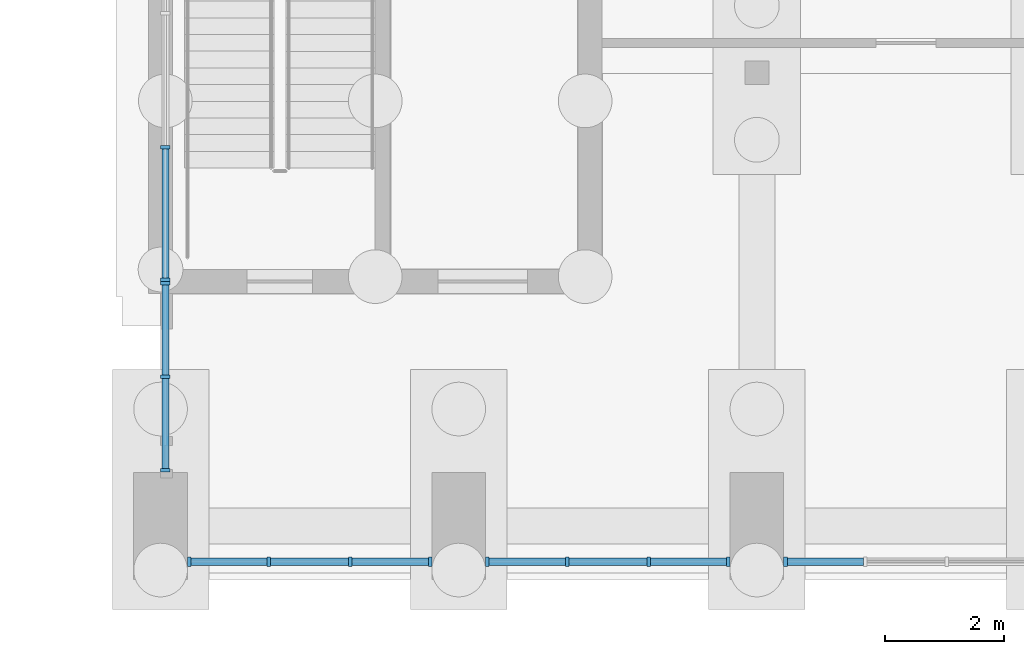
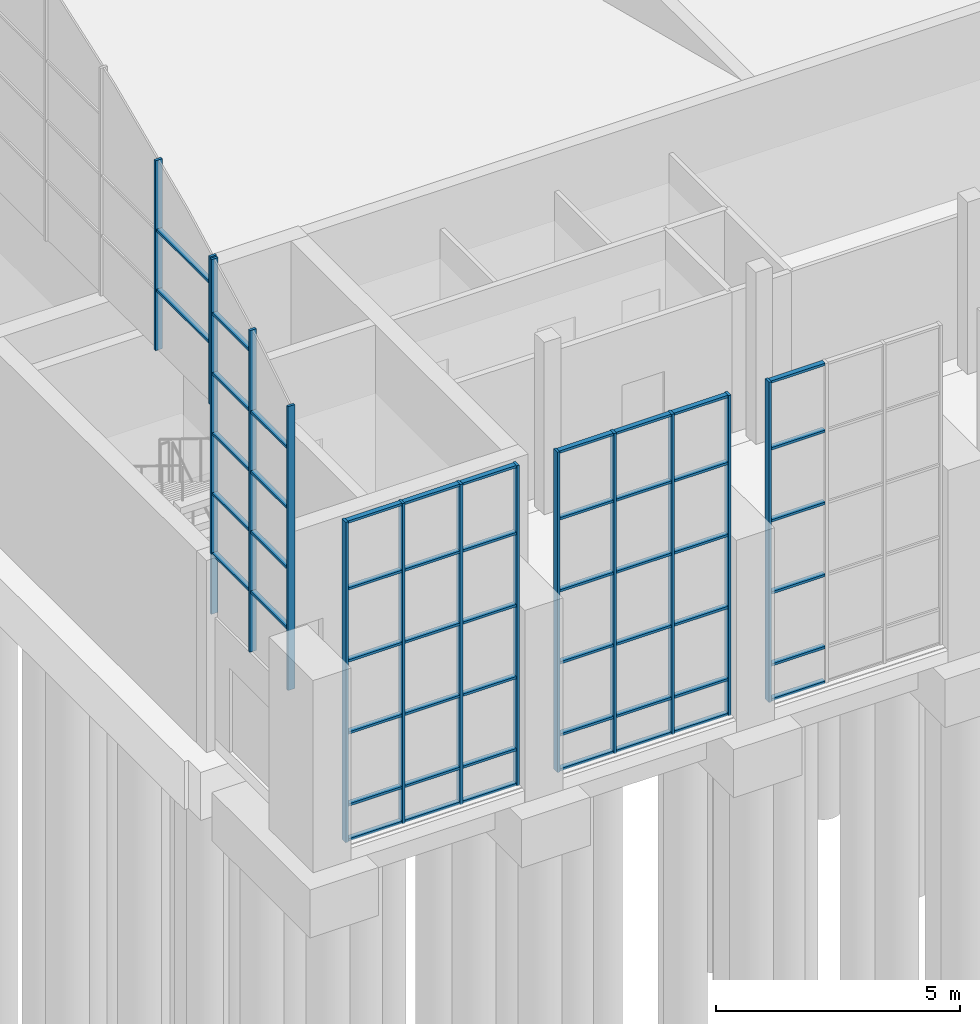
# One storey, part 24 of 106: 67 members, 5 elements without a shape of their own.
"""IFC4 building model written with IfcOpenShell, lengths in metres."""

from ifc_helpers import new_model, si_unit, direction, frame, origin, origin_2d, place, context, subcontext, project, spatial, rectangle, extrude, material, material_profile, profile_set, type_object, element, aggregate, save


model = new_model("IFC4")

# Units and contexts
model_context = context("Model", 3, precision=1e-05, world=origin(), true_north=direction((0.0, 1.0)))
body_context = subcontext(model_context, "Body", "Model", "MODEL_VIEW")
ifc_project = project(units=[si_unit("LENGTHUNIT", "METRE"), si_unit("AREAUNIT", "SQUARE_METRE"), si_unit("VOLUMEUNIT", "CUBIC_METRE"), si_unit("PLANEANGLEUNIT", "RADIAN"), si_unit("MASSUNIT", "GRAM", prefix="KILO")], contexts=[model_context])

# Site, building, storey
site_placement = place(None, origin())
site = spatial("IfcSite", under=ifc_project, at=site_placement, CompositionType="ELEMENT")
building_placement = place(site_placement, origin())
building = spatial("IfcBuilding", under=site, at=building_placement, Name="Merrow Basin Faculty of Sciences", CompositionType="ELEMENT")
storey_placement = place(building_placement, origin())
storey = spatial("IfcBuildingStorey", under=building, at=storey_placement, Name="L00", CompositionType="ELEMENT", Elevation=0.0)

# Curtain wall, members
ifc_material_1 = material(Name="Aluminium alloy 6063", Category="aluminium")
curtain_wall_type_1 = type_object("IfcCurtainWallType", Name="Arched curtain wall 160", PredefinedType="NOTDEFINED", material=ifc_material_1)
curtain_wall_1_placement = place(storey_placement, origin())
curtain_wall_1 = element("IfcCurtainWall", 1, at=curtain_wall_1_placement, inside=storey, type_object=curtain_wall_type_1, Name="West gable glazing A", PredefinedType="NOTDEFINED")
ifc_material_2 = material(Name="Aluminium alloy 6063", Category="aluminium")
ifc_material_profile_1 = material_profile(ifc_material_2, rectangle(XDim=0.159912109375, YDim=0.06005859375, at=origin_2d()))
ifc_profile_set_1 = profile_set([ifc_material_profile_1], Name="Aluminium alloy 6063")
member_type_1 = type_object("IfcMemberType", Name="Aluminium gable mullion 60x160", PredefinedType="MULLION", material=ifc_profile_set_1)
member_1_placement = place(storey_placement, frame((0.080078125, 1.830078125, 3.0), z_axis=(0.0, 0.0, 1.0), x_axis=(1.0, 0.0, 0.0)))
member_1 = element("IfcMember", 2, at=member_1_placement, type_object=member_type_1, Name="CW4 mullion 1", PredefinedType="MULLION", context=body_context, shape_type="SweptSolid", body=[
    extrude(rectangle(XDim=0.159912109375, YDim=0.06005859375, at=origin_2d()), origin(), (0.0, 0.0, 1.0), 7.090087890625),
])
member_2_placement = place(storey_placement, frame((0.080078125, 3.39990234375, 3.0), z_axis=(0.0, 0.0, 1.0), x_axis=(1.0, 0.0, 0.0)))
member_2 = element("IfcMember", 3, at=member_2_placement, type_object=member_type_1, Name="CW4 mullion 2", PredefinedType="MULLION", context=body_context, shape_type="SweptSolid", body=[
    extrude(rectangle(XDim=0.159912109375, YDim=0.06005859375, at=origin_2d()), origin(), (0.0, 0.0, 1.0), 8.034912109375),
])
member_3_placement = place(storey_placement, frame((0.080078125, 4.969970703125, 3.0), z_axis=(0.0, 0.0, 1.0), x_axis=(1.0, 0.0, 0.0)))
member_3 = element("IfcMember", 4, at=member_3_placement, type_object=member_type_1, Name="CW4 mullion 3", PredefinedType="MULLION", context=body_context, shape_type="SweptSolid", body=[
    extrude(rectangle(XDim=0.159912109375, YDim=0.06005859375, at=origin_2d()), origin(), (0.0, 0.0, 1.0), 8.85595703125),
])

curtain_wall_2_placement = place(storey_placement, origin())
curtain_wall_2 = element("IfcCurtainWall", 5, at=curtain_wall_2_placement, inside=storey, type_object=curtain_wall_type_1, Name="West gable glazing B", PredefinedType="NOTDEFINED")
member_4_placement = place(storey_placement, frame((0.080078125, 5.030029296875, 8.199951171875), z_axis=(0.0, 0.0, 1.0), x_axis=(1.0, 0.0, 0.0)))
member_4 = element("IfcMember", 6, at=member_4_placement, type_object=member_type_1, Name="CW4 mullion 1", PredefinedType="MULLION", context=body_context, shape_type="SweptSolid", body=[
    extrude(rectangle(XDim=0.159912109375, YDim=0.06005859375, at=origin_2d()), origin(), (0.0, 0.0, 1.0), 3.68798828125),
])
member_5_placement = place(storey_placement, frame((0.080078125, 7.25, 8.199951171875), z_axis=(0.0, 0.0, 1.0), x_axis=(1.0, 0.0, 0.0)))
member_5 = element("IfcMember", 7, at=member_5_placement, type_object=member_type_1, Name="CW4 mullion 2", PredefinedType="MULLION", context=body_context, shape_type="SweptSolid", body=[
    extrude(rectangle(XDim=0.159912109375, YDim=0.06005859375, at=origin_2d()), origin(), (0.0, 0.0, 1.0), 4.7451171875),
])

# Member
ifc_material_3 = material(Name="Aluminium alloy 6063", Category="aluminium")
ifc_material_profile_2 = material_profile(ifc_material_3, rectangle(XDim=0.1201171875, YDim=0.06005859375, at=origin_2d()))
ifc_profile_set_2 = profile_set([ifc_material_profile_2], Name="Aluminium alloy 6063")
member_type_2 = type_object("IfcMemberType", Name="Aluminium gable transom 60x120", PredefinedType="USERDEFINED", material=ifc_profile_set_2)
member_6_placement = place(storey_placement, frame((0.080078125, 1.860107421875, 4.5), z_axis=(0.0, 1.0, 0.0), x_axis=(-1.0, 0.0, 0.0)))
member_6 = element("IfcMember", 8, at=member_6_placement, type_object=member_type_2, Name="CW4 transom 1.1", ObjectType="TRANSOM", PredefinedType="USERDEFINED", context=body_context, shape_type="SweptSolid", body=[
    extrude(rectangle(XDim=0.1201171875, YDim=0.06005859375, at=origin_2d()), origin(), (0.0, 0.0, 1.0), 1.510009765625),
])

member_7_placement = place(storey_placement, frame((0.080078125, 1.860107421875, 6.0), z_axis=(0.0, 1.0, 0.0), x_axis=(-1.0, 0.0, 0.0)))
member_7 = element("IfcMember", 9, at=member_7_placement, type_object=member_type_2, Name="CW4 transom 1.2", ObjectType="TRANSOM", PredefinedType="USERDEFINED", context=body_context, shape_type="SweptSolid", body=[
    extrude(rectangle(XDim=0.1201171875, YDim=0.06005859375, at=origin_2d()), origin(), (0.0, 0.0, 1.0), 1.510009765625),
])

member_8_placement = place(storey_placement, frame((0.080078125, 1.860107421875, 7.5), z_axis=(0.0, 1.0, 0.0), x_axis=(-1.0, 0.0, 0.0)))
member_8 = element("IfcMember", 10, at=member_8_placement, type_object=member_type_2, Name="CW4 transom 1.3", ObjectType="TRANSOM", PredefinedType="USERDEFINED", context=body_context, shape_type="SweptSolid", body=[
    extrude(rectangle(XDim=0.1201171875, YDim=0.06005859375, at=origin_2d()), origin(), (0.0, 0.0, 1.0), 1.510009765625),
])

member_9_placement = place(storey_placement, frame((0.080078125, 1.860107421875, 9.0), z_axis=(0.0, 1.0, 0.0), x_axis=(-1.0, 0.0, 0.0)))
member_9 = element("IfcMember", 11, at=member_9_placement, type_object=member_type_2, Name="CW4 transom 1.4", ObjectType="TRANSOM", PredefinedType="USERDEFINED", context=body_context, shape_type="SweptSolid", body=[
    extrude(rectangle(XDim=0.1201171875, YDim=0.06005859375, at=origin_2d()), origin(), (0.0, 0.0, 1.0), 1.510009765625),
])

member_10_placement = place(storey_placement, frame((0.080078125, 3.429931640625, 4.5), z_axis=(0.0, 1.0, 0.0), x_axis=(-1.0, 0.0, 0.0)))
member_10 = element("IfcMember", 12, at=member_10_placement, type_object=member_type_2, Name="CW4 transom 2.1", ObjectType="TRANSOM", PredefinedType="USERDEFINED", context=body_context, shape_type="SweptSolid", body=[
    extrude(rectangle(XDim=0.1201171875, YDim=0.06005859375, at=origin_2d()), origin(), (0.0, 0.0, 1.0), 1.510009765625),
])

member_11_placement = place(storey_placement, frame((0.080078125, 3.429931640625, 6.0), z_axis=(0.0, 1.0, 0.0), x_axis=(-1.0, 0.0, 0.0)))
member_11 = element("IfcMember", 13, at=member_11_placement, type_object=member_type_2, Name="CW4 transom 2.2", ObjectType="TRANSOM", PredefinedType="USERDEFINED", context=body_context, shape_type="SweptSolid", body=[
    extrude(rectangle(XDim=0.1201171875, YDim=0.06005859375, at=origin_2d()), origin(), (0.0, 0.0, 1.0), 1.510009765625),
])

member_12_placement = place(storey_placement, frame((0.080078125, 3.429931640625, 7.5), z_axis=(0.0, 1.0, 0.0), x_axis=(-1.0, 0.0, 0.0)))
member_12 = element("IfcMember", 14, at=member_12_placement, type_object=member_type_2, Name="CW4 transom 2.3", ObjectType="TRANSOM", PredefinedType="USERDEFINED", context=body_context, shape_type="SweptSolid", body=[
    extrude(rectangle(XDim=0.1201171875, YDim=0.06005859375, at=origin_2d()), origin(), (0.0, 0.0, 1.0), 1.510009765625),
])

member_13_placement = place(storey_placement, frame((0.080078125, 3.429931640625, 9.0), z_axis=(0.0, 1.0, 0.0), x_axis=(-1.0, 0.0, 0.0)))
member_13 = element("IfcMember", 15, at=member_13_placement, type_object=member_type_2, Name="CW4 transom 2.4", ObjectType="TRANSOM", PredefinedType="USERDEFINED", context=body_context, shape_type="SweptSolid", body=[
    extrude(rectangle(XDim=0.1201171875, YDim=0.06005859375, at=origin_2d()), origin(), (0.0, 0.0, 1.0), 1.510009765625),
])

member_14_placement = place(storey_placement, frame((0.080078125, 3.429931640625, 10.5), z_axis=(0.0, 1.0, 0.0), x_axis=(-1.0, 0.0, 0.0)))
member_14 = element("IfcMember", 16, at=member_14_placement, type_object=member_type_2, Name="CW4 transom 2.5", ObjectType="TRANSOM", PredefinedType="USERDEFINED", context=body_context, shape_type="SweptSolid", body=[
    extrude(rectangle(XDim=0.1201171875, YDim=0.06005859375, at=origin_2d()), origin(), (0.0, 0.0, 1.0), 1.510009765625),
])

aggregate(curtain_wall_1, [member_1, member_2, member_3, member_6, member_7, member_8, member_9, member_10, member_11, member_12, member_13, member_14])

member_15_placement = place(storey_placement, frame((0.080078125, 5.06005859375, 9.699951171875), z_axis=(0.0, 1.0, 0.0), x_axis=(-1.0, 0.0, 0.0)))
member_15 = element("IfcMember", 17, at=member_15_placement, type_object=member_type_2, Name="CW4 transom 1.1", ObjectType="TRANSOM", PredefinedType="USERDEFINED", context=body_context, shape_type="SweptSolid", body=[
    extrude(rectangle(XDim=0.1201171875, YDim=0.06005859375, at=origin_2d()), origin(), (0.0, 0.0, 1.0), 2.159912109375),
])

member_16_placement = place(storey_placement, frame((0.080078125, 5.06005859375, 11.199951171875), z_axis=(0.0, 1.0, 0.0), x_axis=(-1.0, 0.0, 0.0)))
member_16 = element("IfcMember", 18, at=member_16_placement, type_object=member_type_2, Name="CW4 transom 1.2", ObjectType="TRANSOM", PredefinedType="USERDEFINED", context=body_context, shape_type="SweptSolid", body=[
    extrude(rectangle(XDim=0.1201171875, YDim=0.06005859375, at=origin_2d()), origin(), (0.0, 0.0, 1.0), 2.159912109375),
])

aggregate(curtain_wall_2, [member_4, member_5, member_15, member_16])

# Curtain wall, members
ifc_material_4 = material(Name="Aluminium alloy 6063", Category="aluminium")
curtain_wall_type_2 = type_object("IfcCurtainWallType", Name="Unitised curtain wall 160", PredefinedType="NOTDEFINED", material=ifc_material_4)
curtain_wall_3_placement = place(storey_placement, origin())
curtain_wall_3 = element("IfcCurtainWall", 19, at=curtain_wall_3_placement, inside=storey, type_object=curtain_wall_type_2, Name="South foyer curtain wall", PredefinedType="NOTDEFINED")
ifc_material_5 = material(Name="Aluminium alloy 6063", Category="aluminium")
ifc_material_profile_3 = material_profile(ifc_material_5, rectangle(XDim=0.159912109375, YDim=0.06005859375, at=origin_2d()))
ifc_profile_set_3 = profile_set([ifc_material_profile_3], Name="Aluminium alloy 6063")
member_type_3 = type_object("IfcMemberType", Name="Aluminium mullion 60x160", PredefinedType="MULLION", material=ifc_profile_set_3)
member_17_placement = place(storey_placement, frame((0.47998046875, 0.300048828125, 0.0), z_axis=(0.0, 0.0, 1.0), x_axis=(0.0, 1.0, 0.0)))
member_17 = element("IfcMember", 20, at=member_17_placement, type_object=member_type_3, Name="CW3 mullion 1", PredefinedType="MULLION", context=body_context, shape_type="SweptSolid", body=[
    extrude(rectangle(XDim=0.159912109375, YDim=0.06005859375, at=origin_2d()), origin(), (0.0, 0.0, 1.0), 8.0),
])
member_18_placement = place(storey_placement, frame((1.816650390625, 0.300048828125, 0.0), z_axis=(0.0, 0.0, 1.0), x_axis=(0.0, 1.0, 0.0)))
member_18 = element("IfcMember", 21, at=member_18_placement, type_object=member_type_3, Name="CW3 mullion 2", PredefinedType="MULLION", context=body_context, shape_type="SweptSolid", body=[
    extrude(rectangle(XDim=0.159912109375, YDim=0.06005859375, at=origin_2d()), origin(), (0.0, 0.0, 1.0), 8.0),
])
member_19_placement = place(storey_placement, frame((3.183349609375, 0.300048828125, 0.0), z_axis=(0.0, 0.0, 1.0), x_axis=(0.0, 1.0, 0.0)))
member_19 = element("IfcMember", 22, at=member_19_placement, type_object=member_type_3, Name="CW3 mullion 3", PredefinedType="MULLION", context=body_context, shape_type="SweptSolid", body=[
    extrude(rectangle(XDim=0.159912109375, YDim=0.06005859375, at=origin_2d()), origin(), (0.0, 0.0, 1.0), 8.0),
])
member_20_placement = place(storey_placement, frame((4.52001953125, 0.300048828125, 0.0), z_axis=(0.0, 0.0, 1.0), x_axis=(0.0, 1.0, 0.0)))
member_20 = element("IfcMember", 23, at=member_20_placement, type_object=member_type_3, Name="CW3 mullion 4", PredefinedType="MULLION", context=body_context, shape_type="SweptSolid", body=[
    extrude(rectangle(XDim=0.159912109375, YDim=0.06005859375, at=origin_2d()), origin(), (0.0, 0.0, 1.0), 8.0),
])

curtain_wall_4_placement = place(storey_placement, origin())
curtain_wall_4 = element("IfcCurtainWall", 24, at=curtain_wall_4_placement, inside=storey, type_object=curtain_wall_type_2, Name="South foyer curtain wall", PredefinedType="NOTDEFINED")
member_21_placement = place(storey_placement, frame((5.47998046875, 0.300048828125, 0.0), z_axis=(0.0, 0.0, 1.0), x_axis=(0.0, 1.0, 0.0)))
member_21 = element("IfcMember", 25, at=member_21_placement, type_object=member_type_3, Name="CW3 mullion 1", PredefinedType="MULLION", context=body_context, shape_type="SweptSolid", body=[
    extrude(rectangle(XDim=0.159912109375, YDim=0.06005859375, at=origin_2d()), origin(), (0.0, 0.0, 1.0), 8.0),
])
member_22_placement = place(storey_placement, frame((6.816650390625, 0.300048828125, 0.0), z_axis=(0.0, 0.0, 1.0), x_axis=(0.0, 1.0, 0.0)))
member_22 = element("IfcMember", 26, at=member_22_placement, type_object=member_type_3, Name="CW3 mullion 2", PredefinedType="MULLION", context=body_context, shape_type="SweptSolid", body=[
    extrude(rectangle(XDim=0.159912109375, YDim=0.06005859375, at=origin_2d()), origin(), (0.0, 0.0, 1.0), 8.0),
])
member_23_placement = place(storey_placement, frame((8.183349609375, 0.300048828125, 0.0), z_axis=(0.0, 0.0, 1.0), x_axis=(0.0, 1.0, 0.0)))
member_23 = element("IfcMember", 27, at=member_23_placement, type_object=member_type_3, Name="CW3 mullion 3", PredefinedType="MULLION", context=body_context, shape_type="SweptSolid", body=[
    extrude(rectangle(XDim=0.159912109375, YDim=0.06005859375, at=origin_2d()), origin(), (0.0, 0.0, 1.0), 8.0),
])
member_24_placement = place(storey_placement, frame((9.52001953125, 0.300048828125, 0.0), z_axis=(0.0, 0.0, 1.0), x_axis=(0.0, 1.0, 0.0)))
member_24 = element("IfcMember", 28, at=member_24_placement, type_object=member_type_3, Name="CW3 mullion 4", PredefinedType="MULLION", context=body_context, shape_type="SweptSolid", body=[
    extrude(rectangle(XDim=0.159912109375, YDim=0.06005859375, at=origin_2d()), origin(), (0.0, 0.0, 1.0), 8.0),
])

# Curtain wall, member
curtain_wall_5_placement = place(storey_placement, origin())
curtain_wall_5 = element("IfcCurtainWall", 29, at=curtain_wall_5_placement, inside=storey, type_object=curtain_wall_type_2, Name="South foyer curtain wall", PredefinedType="NOTDEFINED")
member_25_placement = place(storey_placement, frame((10.47998046875, 0.300048828125, 0.0), z_axis=(0.0, 0.0, 1.0), x_axis=(0.0, 1.0, 0.0)))
member_25 = element("IfcMember", 30, at=member_25_placement, type_object=member_type_3, Name="CW3 mullion 1", PredefinedType="MULLION", context=body_context, shape_type="SweptSolid", body=[
    extrude(rectangle(XDim=0.159912109375, YDim=0.06005859375, at=origin_2d()), origin(), (0.0, 0.0, 1.0), 8.0),
])

# Member
ifc_material_6 = material(Name="Aluminium alloy 6063", Category="aluminium")
ifc_material_profile_4 = material_profile(ifc_material_6, rectangle(XDim=0.1201171875, YDim=0.06005859375, at=origin_2d()))
ifc_profile_set_4 = profile_set([ifc_material_profile_4], Name="Aluminium alloy 6063")
member_type_4 = type_object("IfcMemberType", Name="Aluminium transom 60x120", PredefinedType="USERDEFINED", material=ifc_profile_set_4)
member_26_placement = place(storey_placement, frame((0.510009765625, 0.300048828125, 0.030029296875), z_axis=(1.0, 0.0, 0.0), x_axis=(0.0, 1.0, 0.0)))
member_26 = element("IfcMember", 31, at=member_26_placement, type_object=member_type_4, Name="CW3 transom 1.1", ObjectType="TRANSOM", PredefinedType="USERDEFINED", context=body_context, shape_type="SweptSolid", body=[
    extrude(rectangle(XDim=0.1201171875, YDim=0.06005859375, at=origin_2d()), origin(), (0.0, 0.0, 1.0), 1.276611328125),
])

member_27_placement = place(storey_placement, frame((0.510009765625, 0.300048828125, 0.89990234375), z_axis=(1.0, 0.0, 0.0), x_axis=(0.0, 1.0, 0.0)))
member_27 = element("IfcMember", 32, at=member_27_placement, type_object=member_type_4, Name="CW3 transom 1.2", ObjectType="TRANSOM", PredefinedType="USERDEFINED", context=body_context, shape_type="SweptSolid", body=[
    extrude(rectangle(XDim=0.1201171875, YDim=0.06005859375, at=origin_2d()), origin(), (0.0, 0.0, 1.0), 1.276611328125),
])

member_28_placement = place(storey_placement, frame((0.510009765625, 0.300048828125, 2.699951171875), z_axis=(1.0, 0.0, 0.0), x_axis=(0.0, 1.0, 0.0)))
member_28 = element("IfcMember", 33, at=member_28_placement, type_object=member_type_4, Name="CW3 transom 1.3", ObjectType="TRANSOM", PredefinedType="USERDEFINED", context=body_context, shape_type="SweptSolid", body=[
    extrude(rectangle(XDim=0.1201171875, YDim=0.06005859375, at=origin_2d()), origin(), (0.0, 0.0, 1.0), 1.276611328125),
])

member_29_placement = place(storey_placement, frame((0.510009765625, 0.300048828125, 4.5), z_axis=(1.0, 0.0, 0.0), x_axis=(0.0, 1.0, 0.0)))
member_29 = element("IfcMember", 34, at=member_29_placement, type_object=member_type_4, Name="CW3 transom 1.4", ObjectType="TRANSOM", PredefinedType="USERDEFINED", context=body_context, shape_type="SweptSolid", body=[
    extrude(rectangle(XDim=0.1201171875, YDim=0.06005859375, at=origin_2d()), origin(), (0.0, 0.0, 1.0), 1.276611328125),
])

member_30_placement = place(storey_placement, frame((0.510009765625, 0.300048828125, 6.300048828125), z_axis=(1.0, 0.0, 0.0), x_axis=(0.0, 1.0, 0.0)))
member_30 = element("IfcMember", 35, at=member_30_placement, type_object=member_type_4, Name="CW3 transom 1.5", ObjectType="TRANSOM", PredefinedType="USERDEFINED", context=body_context, shape_type="SweptSolid", body=[
    extrude(rectangle(XDim=0.1201171875, YDim=0.06005859375, at=origin_2d()), origin(), (0.0, 0.0, 1.0), 1.276611328125),
])

member_31_placement = place(storey_placement, frame((0.510009765625, 0.300048828125, 7.969970703125), z_axis=(1.0, 0.0, 0.0), x_axis=(0.0, 1.0, 0.0)))
member_31 = element("IfcMember", 36, at=member_31_placement, type_object=member_type_4, Name="CW3 transom 1.6", ObjectType="TRANSOM", PredefinedType="USERDEFINED", context=body_context, shape_type="SweptSolid", body=[
    extrude(rectangle(XDim=0.1201171875, YDim=0.06005859375, at=origin_2d()), origin(), (0.0, 0.0, 1.0), 1.276611328125),
])

member_32_placement = place(storey_placement, frame((1.8466796875, 0.300048828125, 0.030029296875), z_axis=(1.0, 0.0, 0.0), x_axis=(0.0, 1.0, 0.0)))
member_32 = element("IfcMember", 37, at=member_32_placement, type_object=member_type_4, Name="CW3 transom 2.1", ObjectType="TRANSOM", PredefinedType="USERDEFINED", context=body_context, shape_type="SweptSolid", body=[
    extrude(rectangle(XDim=0.1201171875, YDim=0.06005859375, at=origin_2d()), origin(), (0.0, 0.0, 1.0), 1.306640625),
])

member_33_placement = place(storey_placement, frame((1.8466796875, 0.300048828125, 0.89990234375), z_axis=(1.0, 0.0, 0.0), x_axis=(0.0, 1.0, 0.0)))
member_33 = element("IfcMember", 38, at=member_33_placement, type_object=member_type_4, Name="CW3 transom 2.2", ObjectType="TRANSOM", PredefinedType="USERDEFINED", context=body_context, shape_type="SweptSolid", body=[
    extrude(rectangle(XDim=0.1201171875, YDim=0.06005859375, at=origin_2d()), origin(), (0.0, 0.0, 1.0), 1.306640625),
])

member_34_placement = place(storey_placement, frame((1.8466796875, 0.300048828125, 2.699951171875), z_axis=(1.0, 0.0, 0.0), x_axis=(0.0, 1.0, 0.0)))
member_34 = element("IfcMember", 39, at=member_34_placement, type_object=member_type_4, Name="CW3 transom 2.3", ObjectType="TRANSOM", PredefinedType="USERDEFINED", context=body_context, shape_type="SweptSolid", body=[
    extrude(rectangle(XDim=0.1201171875, YDim=0.06005859375, at=origin_2d()), origin(), (0.0, 0.0, 1.0), 1.306640625),
])

member_35_placement = place(storey_placement, frame((1.8466796875, 0.300048828125, 4.5), z_axis=(1.0, 0.0, 0.0), x_axis=(0.0, 1.0, 0.0)))
member_35 = element("IfcMember", 40, at=member_35_placement, type_object=member_type_4, Name="CW3 transom 2.4", ObjectType="TRANSOM", PredefinedType="USERDEFINED", context=body_context, shape_type="SweptSolid", body=[
    extrude(rectangle(XDim=0.1201171875, YDim=0.06005859375, at=origin_2d()), origin(), (0.0, 0.0, 1.0), 1.306640625),
])

member_36_placement = place(storey_placement, frame((1.8466796875, 0.300048828125, 6.300048828125), z_axis=(1.0, 0.0, 0.0), x_axis=(0.0, 1.0, 0.0)))
member_36 = element("IfcMember", 41, at=member_36_placement, type_object=member_type_4, Name="CW3 transom 2.5", ObjectType="TRANSOM", PredefinedType="USERDEFINED", context=body_context, shape_type="SweptSolid", body=[
    extrude(rectangle(XDim=0.1201171875, YDim=0.06005859375, at=origin_2d()), origin(), (0.0, 0.0, 1.0), 1.306640625),
])

member_37_placement = place(storey_placement, frame((1.8466796875, 0.300048828125, 7.969970703125), z_axis=(1.0, 0.0, 0.0), x_axis=(0.0, 1.0, 0.0)))
member_37 = element("IfcMember", 42, at=member_37_placement, type_object=member_type_4, Name="CW3 transom 2.6", ObjectType="TRANSOM", PredefinedType="USERDEFINED", context=body_context, shape_type="SweptSolid", body=[
    extrude(rectangle(XDim=0.1201171875, YDim=0.06005859375, at=origin_2d()), origin(), (0.0, 0.0, 1.0), 1.306640625),
])

member_38_placement = place(storey_placement, frame((3.21337890625, 0.300048828125, 0.030029296875), z_axis=(1.0, 0.0, 0.0), x_axis=(0.0, 1.0, 0.0)))
member_38 = element("IfcMember", 43, at=member_38_placement, type_object=member_type_4, Name="CW3 transom 3.1", ObjectType="TRANSOM", PredefinedType="USERDEFINED", context=body_context, shape_type="SweptSolid", body=[
    extrude(rectangle(XDim=0.1201171875, YDim=0.06005859375, at=origin_2d()), origin(), (0.0, 0.0, 1.0), 1.276611328125),
])

member_39_placement = place(storey_placement, frame((3.21337890625, 0.300048828125, 0.89990234375), z_axis=(1.0, 0.0, 0.0), x_axis=(0.0, 1.0, 0.0)))
member_39 = element("IfcMember", 44, at=member_39_placement, type_object=member_type_4, Name="CW3 transom 3.2", ObjectType="TRANSOM", PredefinedType="USERDEFINED", context=body_context, shape_type="SweptSolid", body=[
    extrude(rectangle(XDim=0.1201171875, YDim=0.06005859375, at=origin_2d()), origin(), (0.0, 0.0, 1.0), 1.276611328125),
])

member_40_placement = place(storey_placement, frame((3.21337890625, 0.300048828125, 2.699951171875), z_axis=(1.0, 0.0, 0.0), x_axis=(0.0, 1.0, 0.0)))
member_40 = element("IfcMember", 45, at=member_40_placement, type_object=member_type_4, Name="CW3 transom 3.3", ObjectType="TRANSOM", PredefinedType="USERDEFINED", context=body_context, shape_type="SweptSolid", body=[
    extrude(rectangle(XDim=0.1201171875, YDim=0.06005859375, at=origin_2d()), origin(), (0.0, 0.0, 1.0), 1.276611328125),
])

member_41_placement = place(storey_placement, frame((3.21337890625, 0.300048828125, 4.5), z_axis=(1.0, 0.0, 0.0), x_axis=(0.0, 1.0, 0.0)))
member_41 = element("IfcMember", 46, at=member_41_placement, type_object=member_type_4, Name="CW3 transom 3.4", ObjectType="TRANSOM", PredefinedType="USERDEFINED", context=body_context, shape_type="SweptSolid", body=[
    extrude(rectangle(XDim=0.1201171875, YDim=0.06005859375, at=origin_2d()), origin(), (0.0, 0.0, 1.0), 1.276611328125),
])

member_42_placement = place(storey_placement, frame((3.21337890625, 0.300048828125, 6.300048828125), z_axis=(1.0, 0.0, 0.0), x_axis=(0.0, 1.0, 0.0)))
member_42 = element("IfcMember", 47, at=member_42_placement, type_object=member_type_4, Name="CW3 transom 3.5", ObjectType="TRANSOM", PredefinedType="USERDEFINED", context=body_context, shape_type="SweptSolid", body=[
    extrude(rectangle(XDim=0.1201171875, YDim=0.06005859375, at=origin_2d()), origin(), (0.0, 0.0, 1.0), 1.276611328125),
])

member_43_placement = place(storey_placement, frame((3.21337890625, 0.300048828125, 7.969970703125), z_axis=(1.0, 0.0, 0.0), x_axis=(0.0, 1.0, 0.0)))
member_43 = element("IfcMember", 48, at=member_43_placement, type_object=member_type_4, Name="CW3 transom 3.6", ObjectType="TRANSOM", PredefinedType="USERDEFINED", context=body_context, shape_type="SweptSolid", body=[
    extrude(rectangle(XDim=0.1201171875, YDim=0.06005859375, at=origin_2d()), origin(), (0.0, 0.0, 1.0), 1.276611328125),
])

aggregate(curtain_wall_3, [member_17, member_18, member_19, member_20, member_26, member_27, member_28, member_29, member_30, member_31, member_32, member_33, member_34, member_35, member_36, member_37, member_38, member_39, member_40, member_41, member_42, member_43])

member_44_placement = place(storey_placement, frame((5.510009765625, 0.300048828125, 0.030029296875), z_axis=(1.0, 0.0, 0.0), x_axis=(0.0, 1.0, 0.0)))
member_44 = element("IfcMember", 49, at=member_44_placement, type_object=member_type_4, Name="CW3 transom 1.1", ObjectType="TRANSOM", PredefinedType="USERDEFINED", context=body_context, shape_type="SweptSolid", body=[
    extrude(rectangle(XDim=0.1201171875, YDim=0.06005859375, at=origin_2d()), origin(), (0.0, 0.0, 1.0), 1.276611328125),
])

member_45_placement = place(storey_placement, frame((5.510009765625, 0.300048828125, 0.89990234375), z_axis=(1.0, 0.0, 0.0), x_axis=(0.0, 1.0, 0.0)))
member_45 = element("IfcMember", 50, at=member_45_placement, type_object=member_type_4, Name="CW3 transom 1.2", ObjectType="TRANSOM", PredefinedType="USERDEFINED", context=body_context, shape_type="SweptSolid", body=[
    extrude(rectangle(XDim=0.1201171875, YDim=0.06005859375, at=origin_2d()), origin(), (0.0, 0.0, 1.0), 1.276611328125),
])

member_46_placement = place(storey_placement, frame((5.510009765625, 0.300048828125, 2.699951171875), z_axis=(1.0, 0.0, 0.0), x_axis=(0.0, 1.0, 0.0)))
member_46 = element("IfcMember", 51, at=member_46_placement, type_object=member_type_4, Name="CW3 transom 1.3", ObjectType="TRANSOM", PredefinedType="USERDEFINED", context=body_context, shape_type="SweptSolid", body=[
    extrude(rectangle(XDim=0.1201171875, YDim=0.06005859375, at=origin_2d()), origin(), (0.0, 0.0, 1.0), 1.276611328125),
])

member_47_placement = place(storey_placement, frame((5.510009765625, 0.300048828125, 4.5), z_axis=(1.0, 0.0, 0.0), x_axis=(0.0, 1.0, 0.0)))
member_47 = element("IfcMember", 52, at=member_47_placement, type_object=member_type_4, Name="CW3 transom 1.4", ObjectType="TRANSOM", PredefinedType="USERDEFINED", context=body_context, shape_type="SweptSolid", body=[
    extrude(rectangle(XDim=0.1201171875, YDim=0.06005859375, at=origin_2d()), origin(), (0.0, 0.0, 1.0), 1.276611328125),
])

member_48_placement = place(storey_placement, frame((5.510009765625, 0.300048828125, 6.300048828125), z_axis=(1.0, 0.0, 0.0), x_axis=(0.0, 1.0, 0.0)))
member_48 = element("IfcMember", 53, at=member_48_placement, type_object=member_type_4, Name="CW3 transom 1.5", ObjectType="TRANSOM", PredefinedType="USERDEFINED", context=body_context, shape_type="SweptSolid", body=[
    extrude(rectangle(XDim=0.1201171875, YDim=0.06005859375, at=origin_2d()), origin(), (0.0, 0.0, 1.0), 1.276611328125),
])

member_49_placement = place(storey_placement, frame((5.510009765625, 0.300048828125, 7.969970703125), z_axis=(1.0, 0.0, 0.0), x_axis=(0.0, 1.0, 0.0)))
member_49 = element("IfcMember", 54, at=member_49_placement, type_object=member_type_4, Name="CW3 transom 1.6", ObjectType="TRANSOM", PredefinedType="USERDEFINED", context=body_context, shape_type="SweptSolid", body=[
    extrude(rectangle(XDim=0.1201171875, YDim=0.06005859375, at=origin_2d()), origin(), (0.0, 0.0, 1.0), 1.276611328125),
])

member_50_placement = place(storey_placement, frame((6.8466796875, 0.300048828125, 0.030029296875), z_axis=(1.0, 0.0, 0.0), x_axis=(0.0, 1.0, 0.0)))
member_50 = element("IfcMember", 55, at=member_50_placement, type_object=member_type_4, Name="CW3 transom 2.1", ObjectType="TRANSOM", PredefinedType="USERDEFINED", context=body_context, shape_type="SweptSolid", body=[
    extrude(rectangle(XDim=0.1201171875, YDim=0.06005859375, at=origin_2d()), origin(), (0.0, 0.0, 1.0), 1.306640625),
])

member_51_placement = place(storey_placement, frame((6.8466796875, 0.300048828125, 0.89990234375), z_axis=(1.0, 0.0, 0.0), x_axis=(0.0, 1.0, 0.0)))
member_51 = element("IfcMember", 56, at=member_51_placement, type_object=member_type_4, Name="CW3 transom 2.2", ObjectType="TRANSOM", PredefinedType="USERDEFINED", context=body_context, shape_type="SweptSolid", body=[
    extrude(rectangle(XDim=0.1201171875, YDim=0.06005859375, at=origin_2d()), origin(), (0.0, 0.0, 1.0), 1.306640625),
])

member_52_placement = place(storey_placement, frame((6.8466796875, 0.300048828125, 2.699951171875), z_axis=(1.0, 0.0, 0.0), x_axis=(0.0, 1.0, 0.0)))
member_52 = element("IfcMember", 57, at=member_52_placement, type_object=member_type_4, Name="CW3 transom 2.3", ObjectType="TRANSOM", PredefinedType="USERDEFINED", context=body_context, shape_type="SweptSolid", body=[
    extrude(rectangle(XDim=0.1201171875, YDim=0.06005859375, at=origin_2d()), origin(), (0.0, 0.0, 1.0), 1.306640625),
])

member_53_placement = place(storey_placement, frame((6.8466796875, 0.300048828125, 4.5), z_axis=(1.0, 0.0, 0.0), x_axis=(0.0, 1.0, 0.0)))
member_53 = element("IfcMember", 58, at=member_53_placement, type_object=member_type_4, Name="CW3 transom 2.4", ObjectType="TRANSOM", PredefinedType="USERDEFINED", context=body_context, shape_type="SweptSolid", body=[
    extrude(rectangle(XDim=0.1201171875, YDim=0.06005859375, at=origin_2d()), origin(), (0.0, 0.0, 1.0), 1.306640625),
])

member_54_placement = place(storey_placement, frame((6.8466796875, 0.300048828125, 6.300048828125), z_axis=(1.0, 0.0, 0.0), x_axis=(0.0, 1.0, 0.0)))
member_54 = element("IfcMember", 59, at=member_54_placement, type_object=member_type_4, Name="CW3 transom 2.5", ObjectType="TRANSOM", PredefinedType="USERDEFINED", context=body_context, shape_type="SweptSolid", body=[
    extrude(rectangle(XDim=0.1201171875, YDim=0.06005859375, at=origin_2d()), origin(), (0.0, 0.0, 1.0), 1.306640625),
])

member_55_placement = place(storey_placement, frame((6.8466796875, 0.300048828125, 7.969970703125), z_axis=(1.0, 0.0, 0.0), x_axis=(0.0, 1.0, 0.0)))
member_55 = element("IfcMember", 60, at=member_55_placement, type_object=member_type_4, Name="CW3 transom 2.6", ObjectType="TRANSOM", PredefinedType="USERDEFINED", context=body_context, shape_type="SweptSolid", body=[
    extrude(rectangle(XDim=0.1201171875, YDim=0.06005859375, at=origin_2d()), origin(), (0.0, 0.0, 1.0), 1.306640625),
])

member_56_placement = place(storey_placement, frame((8.21337890625, 0.300048828125, 0.030029296875), z_axis=(1.0, 0.0, 0.0), x_axis=(0.0, 1.0, 0.0)))
member_56 = element("IfcMember", 61, at=member_56_placement, type_object=member_type_4, Name="CW3 transom 3.1", ObjectType="TRANSOM", PredefinedType="USERDEFINED", context=body_context, shape_type="SweptSolid", body=[
    extrude(rectangle(XDim=0.1201171875, YDim=0.06005859375, at=origin_2d()), origin(), (0.0, 0.0, 1.0), 1.276611328125),
])

member_57_placement = place(storey_placement, frame((8.21337890625, 0.300048828125, 0.89990234375), z_axis=(1.0, 0.0, 0.0), x_axis=(0.0, 1.0, 0.0)))
member_57 = element("IfcMember", 62, at=member_57_placement, type_object=member_type_4, Name="CW3 transom 3.2", ObjectType="TRANSOM", PredefinedType="USERDEFINED", context=body_context, shape_type="SweptSolid", body=[
    extrude(rectangle(XDim=0.1201171875, YDim=0.06005859375, at=origin_2d()), origin(), (0.0, 0.0, 1.0), 1.276611328125),
])

member_58_placement = place(storey_placement, frame((8.21337890625, 0.300048828125, 2.699951171875), z_axis=(1.0, 0.0, 0.0), x_axis=(0.0, 1.0, 0.0)))
member_58 = element("IfcMember", 63, at=member_58_placement, type_object=member_type_4, Name="CW3 transom 3.3", ObjectType="TRANSOM", PredefinedType="USERDEFINED", context=body_context, shape_type="SweptSolid", body=[
    extrude(rectangle(XDim=0.1201171875, YDim=0.06005859375, at=origin_2d()), origin(), (0.0, 0.0, 1.0), 1.276611328125),
])

member_59_placement = place(storey_placement, frame((8.21337890625, 0.300048828125, 4.5), z_axis=(1.0, 0.0, 0.0), x_axis=(0.0, 1.0, 0.0)))
member_59 = element("IfcMember", 64, at=member_59_placement, type_object=member_type_4, Name="CW3 transom 3.4", ObjectType="TRANSOM", PredefinedType="USERDEFINED", context=body_context, shape_type="SweptSolid", body=[
    extrude(rectangle(XDim=0.1201171875, YDim=0.06005859375, at=origin_2d()), origin(), (0.0, 0.0, 1.0), 1.276611328125),
])

member_60_placement = place(storey_placement, frame((8.21337890625, 0.300048828125, 6.300048828125), z_axis=(1.0, 0.0, 0.0), x_axis=(0.0, 1.0, 0.0)))
member_60 = element("IfcMember", 65, at=member_60_placement, type_object=member_type_4, Name="CW3 transom 3.5", ObjectType="TRANSOM", PredefinedType="USERDEFINED", context=body_context, shape_type="SweptSolid", body=[
    extrude(rectangle(XDim=0.1201171875, YDim=0.06005859375, at=origin_2d()), origin(), (0.0, 0.0, 1.0), 1.276611328125),
])

member_61_placement = place(storey_placement, frame((8.21337890625, 0.300048828125, 7.969970703125), z_axis=(1.0, 0.0, 0.0), x_axis=(0.0, 1.0, 0.0)))
member_61 = element("IfcMember", 66, at=member_61_placement, type_object=member_type_4, Name="CW3 transom 3.6", ObjectType="TRANSOM", PredefinedType="USERDEFINED", context=body_context, shape_type="SweptSolid", body=[
    extrude(rectangle(XDim=0.1201171875, YDim=0.06005859375, at=origin_2d()), origin(), (0.0, 0.0, 1.0), 1.276611328125),
])

aggregate(curtain_wall_4, [member_21, member_22, member_23, member_24, member_44, member_45, member_46, member_47, member_48, member_49, member_50, member_51, member_52, member_53, member_54, member_55, member_56, member_57, member_58, member_59, member_60, member_61])

member_62_placement = place(storey_placement, frame((10.510009765625, 0.300048828125, 0.030029296875), z_axis=(1.0, 0.0, 0.0), x_axis=(0.0, 1.0, 0.0)))
member_62 = element("IfcMember", 67, at=member_62_placement, type_object=member_type_4, Name="CW3 transom 1.1", ObjectType="TRANSOM", PredefinedType="USERDEFINED", context=body_context, shape_type="SweptSolid", body=[
    extrude(rectangle(XDim=0.1201171875, YDim=0.06005859375, at=origin_2d()), origin(), (0.0, 0.0, 1.0), 1.276611328125),
])

member_63_placement = place(storey_placement, frame((10.510009765625, 0.300048828125, 0.89990234375), z_axis=(1.0, 0.0, 0.0), x_axis=(0.0, 1.0, 0.0)))
member_63 = element("IfcMember", 68, at=member_63_placement, type_object=member_type_4, Name="CW3 transom 1.2", ObjectType="TRANSOM", PredefinedType="USERDEFINED", context=body_context, shape_type="SweptSolid", body=[
    extrude(rectangle(XDim=0.1201171875, YDim=0.06005859375, at=origin_2d()), origin(), (0.0, 0.0, 1.0), 1.276611328125),
])

member_64_placement = place(storey_placement, frame((10.510009765625, 0.300048828125, 2.699951171875), z_axis=(1.0, 0.0, 0.0), x_axis=(0.0, 1.0, 0.0)))
member_64 = element("IfcMember", 69, at=member_64_placement, type_object=member_type_4, Name="CW3 transom 1.3", ObjectType="TRANSOM", PredefinedType="USERDEFINED", context=body_context, shape_type="SweptSolid", body=[
    extrude(rectangle(XDim=0.1201171875, YDim=0.06005859375, at=origin_2d()), origin(), (0.0, 0.0, 1.0), 1.276611328125),
])

member_65_placement = place(storey_placement, frame((10.510009765625, 0.300048828125, 4.5), z_axis=(1.0, 0.0, 0.0), x_axis=(0.0, 1.0, 0.0)))
member_65 = element("IfcMember", 70, at=member_65_placement, type_object=member_type_4, Name="CW3 transom 1.4", ObjectType="TRANSOM", PredefinedType="USERDEFINED", context=body_context, shape_type="SweptSolid", body=[
    extrude(rectangle(XDim=0.1201171875, YDim=0.06005859375, at=origin_2d()), origin(), (0.0, 0.0, 1.0), 1.276611328125),
])

member_66_placement = place(storey_placement, frame((10.510009765625, 0.300048828125, 6.300048828125), z_axis=(1.0, 0.0, 0.0), x_axis=(0.0, 1.0, 0.0)))
member_66 = element("IfcMember", 71, at=member_66_placement, type_object=member_type_4, Name="CW3 transom 1.5", ObjectType="TRANSOM", PredefinedType="USERDEFINED", context=body_context, shape_type="SweptSolid", body=[
    extrude(rectangle(XDim=0.1201171875, YDim=0.06005859375, at=origin_2d()), origin(), (0.0, 0.0, 1.0), 1.276611328125),
])

member_67_placement = place(storey_placement, frame((10.510009765625, 0.300048828125, 7.969970703125), z_axis=(1.0, 0.0, 0.0), x_axis=(0.0, 1.0, 0.0)))
member_67 = element("IfcMember", 72, at=member_67_placement, type_object=member_type_4, Name="CW3 transom 1.6", ObjectType="TRANSOM", PredefinedType="USERDEFINED", context=body_context, shape_type="SweptSolid", body=[
    extrude(rectangle(XDim=0.1201171875, YDim=0.06005859375, at=origin_2d()), origin(), (0.0, 0.0, 1.0), 1.276611328125),
])

aggregate(curtain_wall_5, [member_25, member_62, member_63, member_64, member_65, member_66, member_67])

save(model, "model.ifc")
